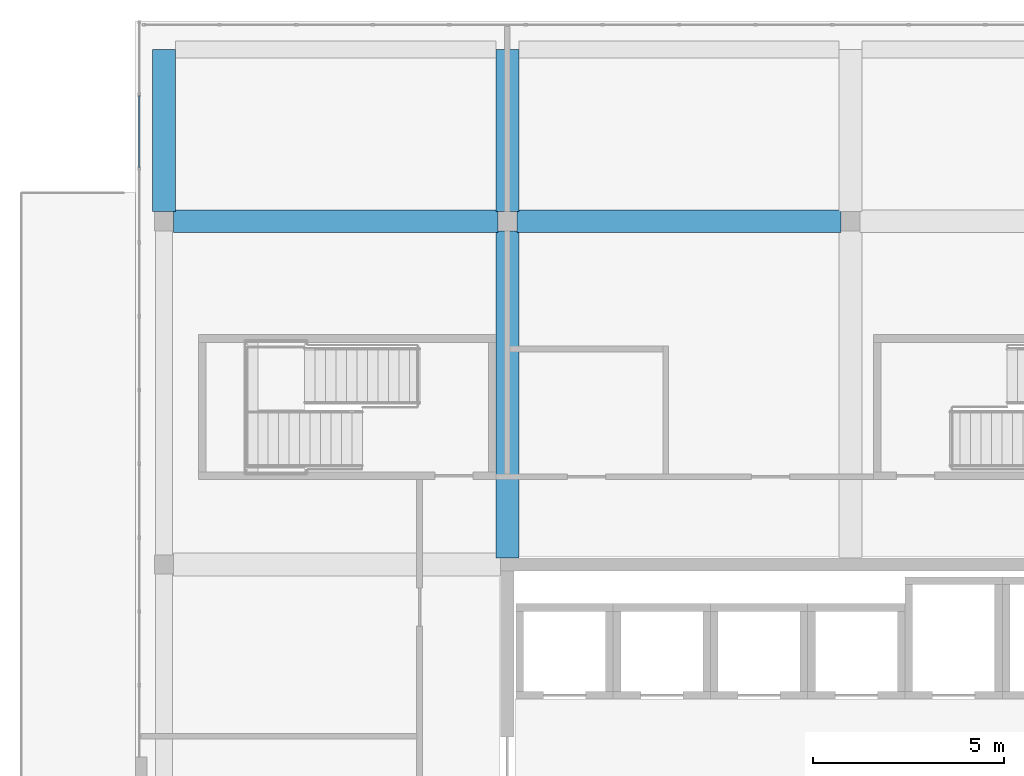
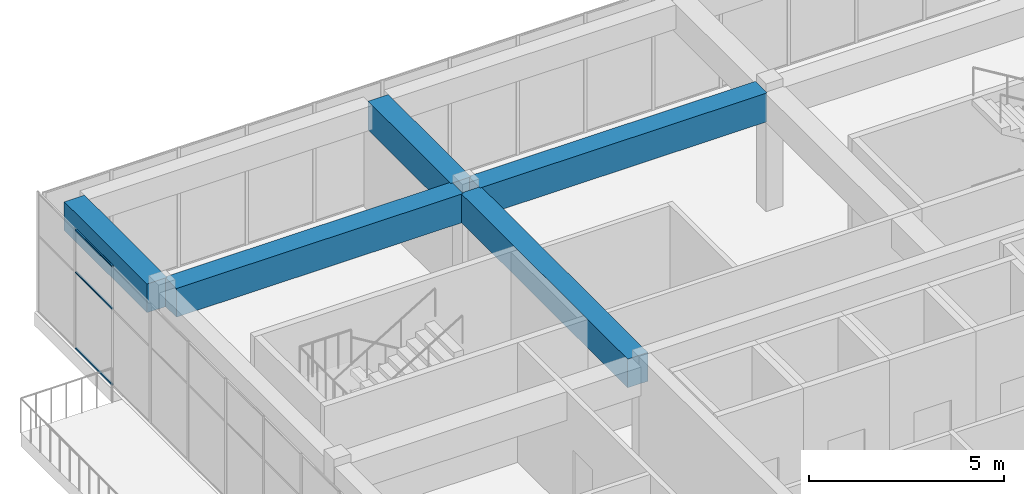
# One storey, part 20 of 34: 5 beams, 3 members, 1 element without a shape of its own.
"""IFC4 building model written with IfcOpenShell, lengths in metres."""

from ifc_helpers import new_model, si_unit, direction, frame, origin, origin_2d, place, context, subcontext, project, spatial, rectangle, hollow_rectangle, extrude, material, layer, layer_set, material_profile, profile_set, type_object, element, aggregate, save


model = new_model("IFC4")

# Units and contexts
model_context = context("Model", 3, precision=1e-05, world=origin(), true_north=direction((0.0, 1.0)))
body_context = subcontext(model_context, "Body", "Model", "MODEL_VIEW")
ifc_project = project(units=[si_unit("LENGTHUNIT", "METRE"), si_unit("AREAUNIT", "SQUARE_METRE"), si_unit("VOLUMEUNIT", "CUBIC_METRE"), si_unit("PLANEANGLEUNIT", "RADIAN"), si_unit("MASSUNIT", "GRAM", prefix="KILO")], contexts=[model_context])

# Site, building, storey
site_placement = place(None, origin())
site = spatial("IfcSite", under=ifc_project, at=site_placement, CompositionType="ELEMENT")
building_placement = place(site_placement, origin())
building = spatial("IfcBuilding", under=site, at=building_placement, Name="Tuart Plaza Theatre", CompositionType="ELEMENT")
storey_placement = place(building_placement, frame((0.0, 0.0, 53.5)))
storey = spatial("IfcBuildingStorey", under=building, at=storey_placement, Name="L13", CompositionType="ELEMENT", Elevation=53.5)

# Beams
ifc_material_1 = material(Name="Concrete N40 (40 MPa)", Category="concrete")
ifc_material_profile_1 = material_profile(ifc_material_1, rectangle(XDim=0.60009765625, YDim=0.89990234375, at=origin_2d()), Name="BEAM 600x900 Concrete N40 (40 MPa)")
ifc_profile_set_1 = profile_set([ifc_material_profile_1], Name="Concrete N40 (40 MPa)")
beam_type = type_object("IfcBeamType", Name="BEAM 600x900 Concrete N40 (40 MPa)", PredefinedType="BEAM", material=ifc_profile_set_1)
beam_1_placement = place(storey_placement, frame((114.0, 92.25, 3.300048828125), z_axis=(0.0, 1.0, 0.0), x_axis=(-1.0, 0.0, 0.0)))
element("IfcBeam", 1, at=beam_1_placement, inside=storey, type_object=beam_type, Name="RB324", PredefinedType="BEAM", context=body_context, shape_type="SweptSolid", body=[
    extrude(rectangle(XDim=0.60009765625, YDim=0.89990234375, at=origin_2d()), origin(), (0.0, 0.0, 1.0), 4.25),
])
beam_2_placement = place(storey_placement, frame((114.25, 92.0, 3.300048828125), z_axis=(1.0, 0.0, 0.0), x_axis=(0.0, 1.0, 0.0)))
element("IfcBeam", 2, at=beam_2_placement, inside=storey, type_object=beam_type, Name="RB325", PredefinedType="BEAM", context=body_context, shape_type="SweptSolid", body=[
    extrude(rectangle(XDim=0.60009765625, YDim=0.89990234375, at=origin_2d()), origin(), (0.0, 0.0, 1.0), 8.5),
])
beam_3_placement = place(storey_placement, frame((123.0, 83.175048828125, 3.300048828125), z_axis=(0.0, 1.0, 0.0), x_axis=(-1.0, 0.0, 0.0)))
element("IfcBeam", 3, at=beam_3_placement, inside=storey, type_object=beam_type, Name="RB329", PredefinedType="BEAM", context=body_context, shape_type="SweptSolid", body=[
    extrude(rectangle(XDim=0.60009765625, YDim=0.89990234375, at=origin_2d()), origin(), (0.0, 0.0, 1.0), 8.574951171875),
])
beam_4_placement = place(storey_placement, frame((123.0, 92.25, 3.300048828125), z_axis=(0.0, 1.0, 0.0), x_axis=(-1.0, 0.0, 0.0)))
element("IfcBeam", 4, at=beam_4_placement, inside=storey, type_object=beam_type, Name="RB330", PredefinedType="BEAM", context=body_context, shape_type="SweptSolid", body=[
    extrude(rectangle(XDim=0.60009765625, YDim=0.89990234375, at=origin_2d()), origin(), (0.0, 0.0, 1.0), 4.25),
])
beam_5_placement = place(storey_placement, frame((123.25, 92.0, 3.300048828125), z_axis=(1.0, 0.0, 0.0), x_axis=(0.0, 1.0, 0.0)))
element("IfcBeam", 5, at=beam_5_placement, inside=storey, type_object=beam_type, Name="RB331", PredefinedType="BEAM", context=body_context, shape_type="SweptSolid", body=[
    extrude(rectangle(XDim=0.60009765625, YDim=0.89990234375, at=origin_2d()), origin(), (0.0, 0.0, 1.0), 8.5),
])

# Curtain wall, members
ifc_material_2 = material(Name="Aluminium and glass", Category="aluminium")
ifc_layer = layer(ifc_material_2, 0.10009765625)
ifc_layer_set = layer_set([ifc_layer], Name="CURTAIN WALL 2000 module")
curtain_wall_type = type_object("IfcCurtainWallType", Name="CURTAIN WALL 2000 module", PredefinedType="NOTDEFINED", material=ifc_layer_set)
curtain_wall_placement = place(storey_placement, origin())
curtain_wall = element("IfcCurtainWall", 6, at=curtain_wall_placement, inside=storey, type_object=curtain_wall_type, Name="CW118", PredefinedType="NOTDEFINED")
ifc_material_3 = material(Name="Aluminium 6063-T5", Category="aluminium")
ifc_material_profile_2 = material_profile(ifc_material_3, hollow_rectangle(XDim=0.050048828125, YDim=0.050048828125, WallThickness=0.00390625, InnerFilletRadius=0.00390625, OuterFilletRadius=0.008056640625, at=origin_2d()), Name="RHS 50x50x4")
ifc_profile_set_2 = profile_set([ifc_material_profile_2], Name="Aluminium 6063-T5")
member_type = type_object("IfcMemberType", Name="TRANSOM RHS 50x50x4", PredefinedType="USERDEFINED", material=ifc_profile_set_2)
member_1_placement = place(storey_placement, frame((113.35009765625, 95.2900390625, 0.02490234375), z_axis=(0.0, -1.0, 0.0), x_axis=(1.0, 0.0, 0.0)))
member_1 = element("IfcMember", 7, at=member_1_placement, type_object=member_type, Name="CW118 transom 2.1", ObjectType="TRANSOM", PredefinedType="USERDEFINED", context=body_context, shape_type="SweptSolid", body=[
    extrude(hollow_rectangle(XDim=0.050048828125, YDim=0.050048828125, WallThickness=0.00390625, InnerFilletRadius=0.00390625, OuterFilletRadius=0.008056640625, at=origin_2d()), origin(), (0.0, 0.0, 1.0), 1.885009765625),
])
member_2_placement = place(storey_placement, frame((113.35009765625, 95.2900390625, 2.39990234375), z_axis=(0.0, -1.0, 0.0), x_axis=(1.0, 0.0, 0.0)))
member_2 = element("IfcMember", 8, at=member_2_placement, type_object=member_type, Name="CW118 transom 2.2", ObjectType="TRANSOM", PredefinedType="USERDEFINED", context=body_context, shape_type="SweptSolid", body=[
    extrude(hollow_rectangle(XDim=0.050048828125, YDim=0.050048828125, WallThickness=0.00390625, InnerFilletRadius=0.00390625, OuterFilletRadius=0.008056640625, at=origin_2d()), origin(), (0.0, 0.0, 1.0), 1.885009765625),
])
member_3_placement = place(storey_placement, frame((113.35009765625, 95.2900390625, 3.72509765625), z_axis=(0.0, -1.0, 0.0), x_axis=(1.0, 0.0, 0.0)))
member_3 = element("IfcMember", 9, at=member_3_placement, type_object=member_type, Name="CW118 transom 2.3", ObjectType="TRANSOM", PredefinedType="USERDEFINED", context=body_context, shape_type="SweptSolid", body=[
    extrude(hollow_rectangle(XDim=0.050048828125, YDim=0.050048828125, WallThickness=0.00390625, InnerFilletRadius=0.00390625, OuterFilletRadius=0.008056640625, at=origin_2d()), origin(), (0.0, 0.0, 1.0), 1.885009765625),
])
aggregate(curtain_wall, [member_1, member_2, member_3])

save(model, "model.ifc")
